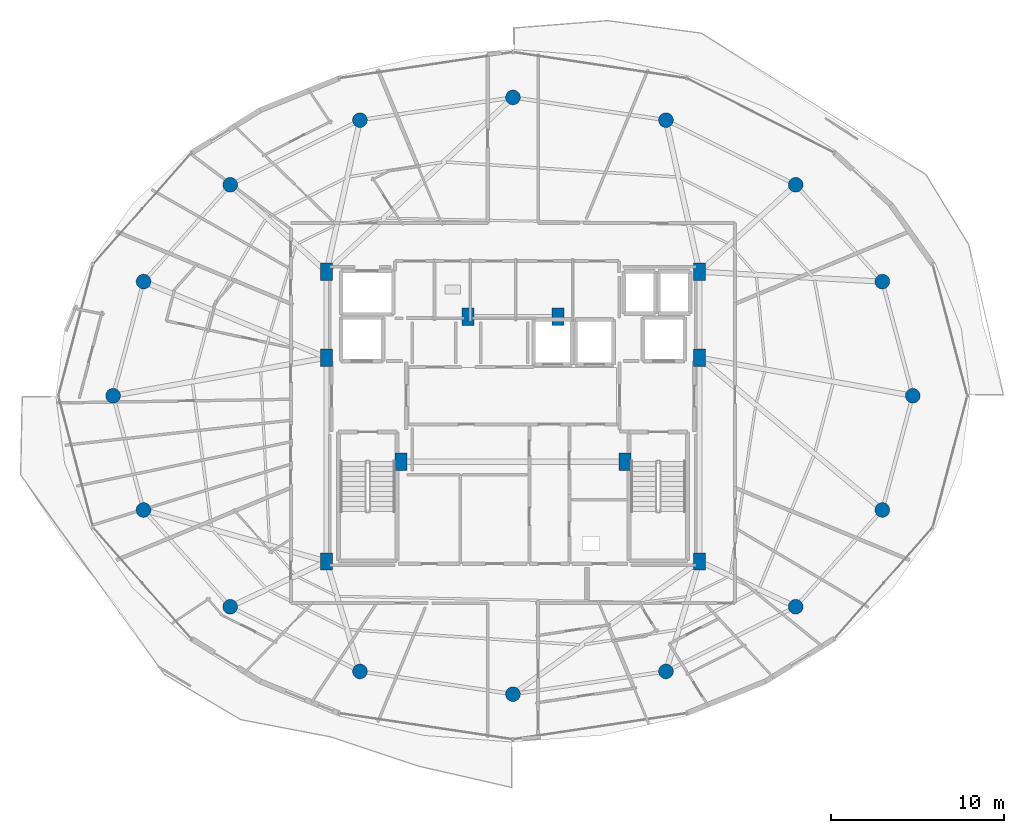
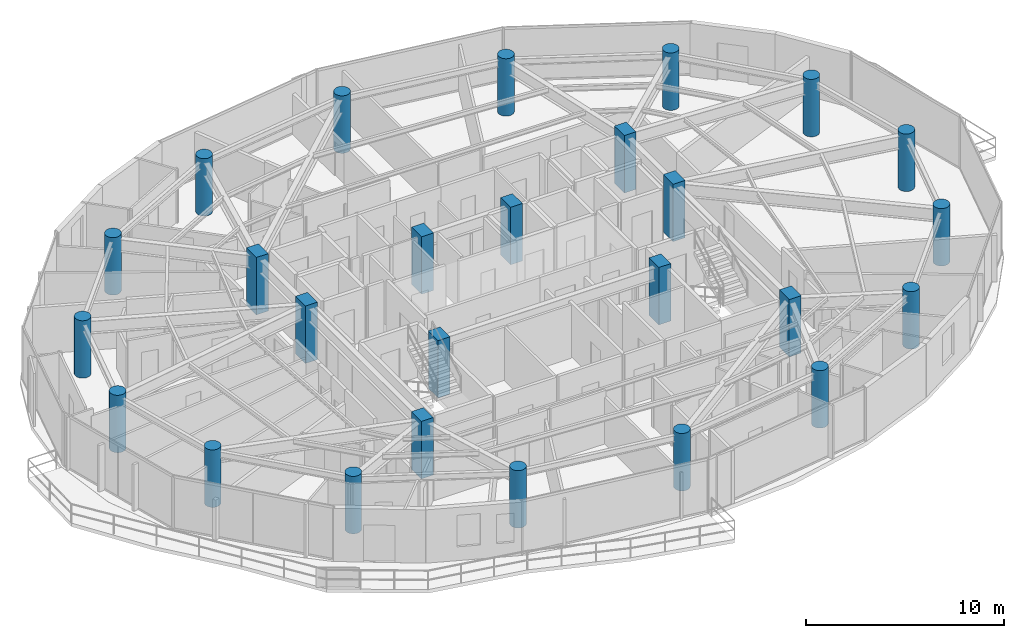
# One storey, part 1 of 31: 26 columns.
"""IFC4 building model written with IfcOpenShell, lengths in metres."""

from ifc_helpers import new_model, si_unit, direction, frame, origin, origin_2d, place, context, subcontext, project, spatial, rectangle, circle, extrude, material, material_profile, profile_set, type_object, element, save


model = new_model("IFC4")

# Units and contexts
model_context = context("Model", 3, precision=1e-05, world=origin(), true_north=direction((0.0, 1.0)))
body_context = subcontext(model_context, "Body", "Model", "MODEL_VIEW")
ifc_project = project(units=[si_unit("LENGTHUNIT", "METRE"), si_unit("AREAUNIT", "SQUARE_METRE"), si_unit("VOLUMEUNIT", "CUBIC_METRE"), si_unit("PLANEANGLEUNIT", "RADIAN"), si_unit("MASSUNIT", "GRAM", prefix="KILO")], contexts=[model_context])

# Site, building, storey
site_placement = place(None, origin())
site = spatial("IfcSite", under=ifc_project, at=site_placement, CompositionType="ELEMENT")
building_placement = place(site_placement, origin())
building = spatial("IfcBuilding", under=site, at=building_placement, Name="Vorneva Point Tower", CompositionType="ELEMENT")
storey_placement = place(building_placement, frame((0.0, 0.0, 244.89990234375)))
storey = spatial("IfcBuildingStorey", under=building, at=storey_placement, Name="L66", CompositionType="ELEMENT", Elevation=244.89990234375)

# Columns
ifc_material = material(Name="Concrete B50 (C40/50)", Category="concrete")
ifc_material_profile_1 = material_profile(ifc_material, circle(Radius=0.425048828125, at=origin_2d()), Name="RC-CIRC 850")
ifc_profile_set_1 = profile_set([ifc_material_profile_1], Name="Concrete B50 (C40/50)")
column_type_1 = type_object("IfcColumnType", Name="COL-RC850C", PredefinedType="COLUMN", material=ifc_profile_set_1)
for number, where, z_axis, x_axis, name in (
    (1, (61.050048828125, 26.0, 0.0), (0.0, 0.0, 1.0), (1.0, 0.0, 0.0), "L66 Perimeter Column P01"),
    (2, (59.29541015625, 32.582275390625, 0.0), (0.0, 0.0, 1.0), (0.923879532511, 0.382683432365, 0.0), "L66 Perimeter Column P02"),
    (3, (54.298828125, 38.162109375, 0.0), (0.0, 0.0, 1.0), (0.707106781187, 0.707106781187, 0.0), "L66 Perimeter Column P03"),
    (4, (46.82080078125, 41.890625, 0.0), (0.0, 0.0, 1.0), (0.382683432365, 0.923879532511, 0.0), "L66 Perimeter Column P04"),
    (5, (38.0, 43.199951171875, 0.0), (0.0, 0.0, 1.0), (0.0, 1.0, 0.0), "L66 Perimeter Column P05"),
    (6, (29.17919921875, 41.890625, 0.0), (0.0, 0.0, 1.0), (-0.382683432365, 0.923879532511, 0.0), "L66 Perimeter Column P06"),
    (7, (21.701171875, 38.162109375, 0.0), (0.0, 0.0, 1.0), (-0.707106781187, 0.707106781187, 0.0), "L66 Perimeter Column P07"),
    (8, (16.70458984375, 32.582275390625, 0.0), (0.0, 0.0, 1.0), (-0.923879532511, 0.382683432365, 0.0), "L66 Perimeter Column P08"),
    (9, (14.949951171875, 26.0, 0.0), (0.0, 0.0, 1.0), (-1.0, 0.0, 0.0), "L66 Perimeter Column P09"),
    (10, (16.70458984375, 19.417724609375, 0.0), (0.0, 0.0, 1.0), (-0.923879532511, -0.382683432365, 0.0), "L66 Perimeter Column P10"),
    (11, (21.701171875, 13.837890625, 0.0), (0.0, 0.0, 1.0), (-0.707106781187, -0.707106781187, 0.0), "L66 Perimeter Column P11"),
    (12, (29.17919921875, 10.109375, 0.0), (0.0, 0.0, 1.0), (-0.382683432365, -0.923879532511, 0.0), "L66 Perimeter Column P12"),
    (13, (38.0, 8.800048828125, 0.0), (0.0, 0.0, 1.0), (0.0, -1.0, 0.0), "L66 Perimeter Column P13"),
    (14, (46.82080078125, 10.109375, 0.0), (0.0, 0.0, 1.0), (0.382683432365, -0.923879532511, 0.0), "L66 Perimeter Column P14"),
    (15, (54.298828125, 13.837890625, 0.0), (0.0, 0.0, 1.0), (0.707106781187, -0.707106781187, 0.0), "L66 Perimeter Column P15"),
    (16, (59.29541015625, 19.417724609375, 0.0), (0.0, 0.0, 1.0), (0.923879532511, -0.382683432365, 0.0), "L66 Perimeter Column P16"),
):
    element("IfcColumn", number, at=place(storey_placement, frame(where, z_axis=z_axis, x_axis=x_axis)), inside=storey, type_object=column_type_1, Name=name, PredefinedType="COLUMN", context=body_context, shape_type="SweptSolid", body=[
        extrude(circle(Radius=0.425048828125, at=origin_2d()), origin(), (0.0, 0.0, 1.0), 3.550048828125),
    ])
ifc_material_profile_2 = material_profile(ifc_material, rectangle(XDim=0.699951171875, YDim=1.0, at=origin_2d()), Name="RC-PIL 1000x700")
ifc_profile_set_2 = profile_set([ifc_material_profile_2], Name="Concrete B50 (C40/50)")
column_type_2 = type_object("IfcColumnType", Name="PIL-RC1000x700", PredefinedType="PILASTER", material=ifc_profile_set_2)
for number, where, z_axis, x_axis, name in (
    (17, (27.25, 16.449951171875, 0.0), (0.0, 0.0, 1.0), (1.0, 0.0, 0.0), "L66 Core Pilaster CP1"),
    (18, (27.25, 28.199951171875, 0.0), (0.0, 0.0, 1.0), (1.0, 0.0, 0.0), "L66 Core Pilaster CP2"),
    (19, (27.25, 33.14990234375, 0.0), (0.0, 0.0, 1.0), (1.0, 0.0, 0.0), "L66 Core Pilaster CP3"),
    (20, (31.550048828125, 22.199951171875, 0.0), (0.0, 0.0, 1.0), (1.0, 0.0, 0.0), "L66 Core Pilaster CP4"),
    (21, (48.75, 33.14990234375, 0.0), (0.0, 0.0, 1.0), (1.0, 0.0, 0.0), "L66 Core Pilaster CP5"),
    (22, (48.75, 28.199951171875, 0.0), (0.0, 0.0, 1.0), (1.0, 0.0, 0.0), "L66 Core Pilaster CP6"),
    (23, (48.75, 16.449951171875, 0.0), (0.0, 0.0, 1.0), (1.0, 0.0, 0.0), "L66 Core Pilaster CP7"),
    (24, (44.449951171875, 22.199951171875, 0.0), (0.0, 0.0, 1.0), (1.0, 0.0, 0.0), "L66 Core Pilaster CP8"),
    (25, (35.39990234375, 30.550048828125, 0.0), (0.0, 0.0, 1.0), (1.0, 0.0, 0.0), "L66 Core Pilaster CP9"),
    (26, (40.60009765625, 30.550048828125, 0.0), (0.0, 0.0, 1.0), (1.0, 0.0, 0.0), "L66 Core Pilaster CP10"),
):
    element("IfcColumn", number, at=place(storey_placement, frame(where, z_axis=z_axis, x_axis=x_axis)), inside=storey, type_object=column_type_2, Name=name, PredefinedType="PILASTER", context=body_context, shape_type="SweptSolid", body=[
        extrude(rectangle(XDim=0.699951171875, YDim=1.0, at=origin_2d()), origin(), (0.0, 0.0, 1.0), 3.550048828125),
    ])

save(model, "model.ifc")
